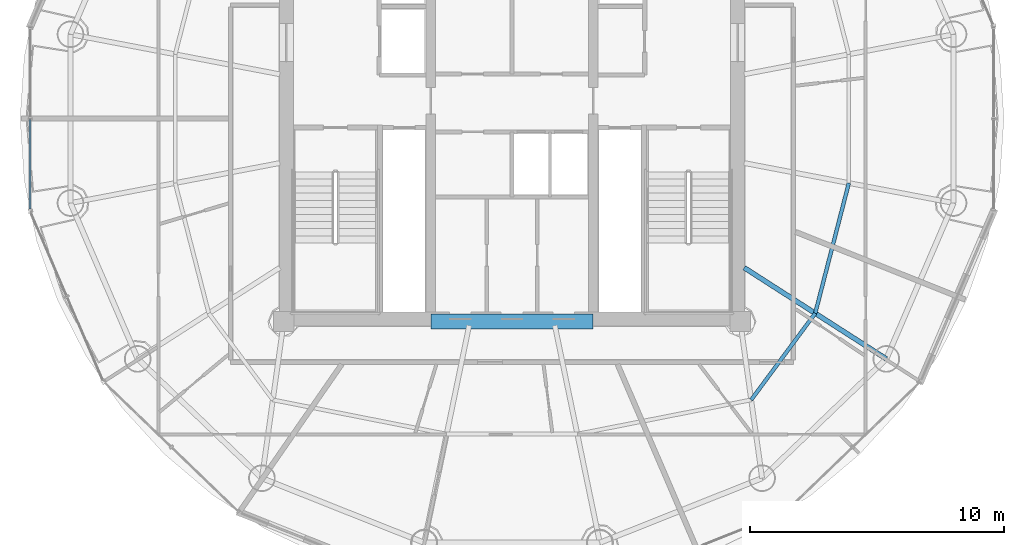
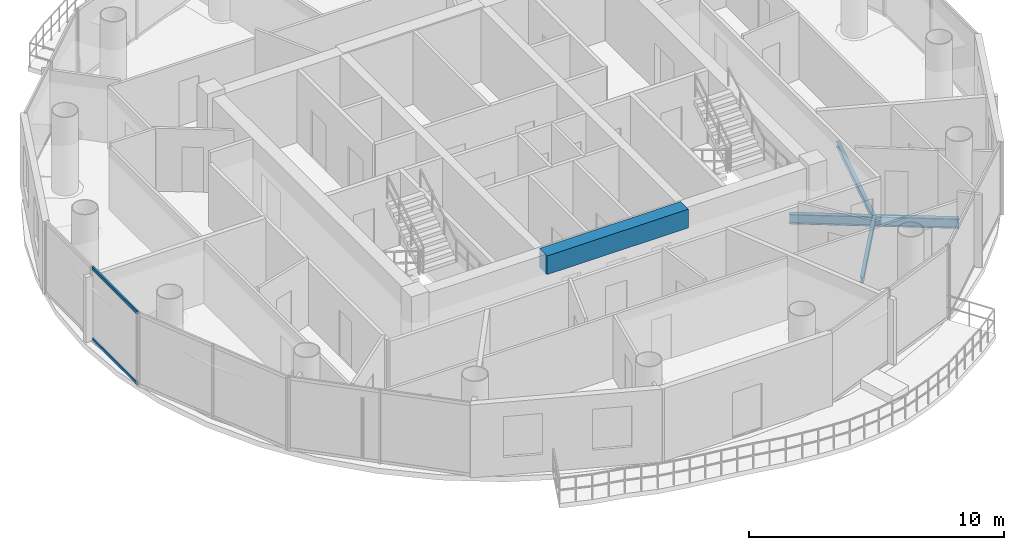
# One storey, part 7 of 24: 4 beams, 2 members, 1 element without a shape of its own.
"""IFC4 building model written with IfcOpenShell, lengths in metres."""

from ifc_helpers import new_model, si_unit, direction, frame, origin, origin_2d, place, context, subcontext, project, spatial, rectangle, hollow_rectangle, i_section, extrude, source, transform, mapped, material, material_profile, profile_set, type_object, element, aggregate, save


model = new_model("IFC4")

# Units and contexts
model_context = context("Model", 3, precision=1e-05, world=origin(), true_north=direction((-0.2419218956, 0.970295726276)))
body_context = subcontext(model_context, "Body", "Model", "MODEL_VIEW")
ifc_project = project(units=[si_unit("LENGTHUNIT", "METRE"), si_unit("AREAUNIT", "SQUARE_METRE"), si_unit("VOLUMEUNIT", "CUBIC_METRE"), si_unit("PLANEANGLEUNIT", "RADIAN"), si_unit("MASSUNIT", "GRAM", prefix="KILO")], contexts=[model_context])

# Site, building, storey
site_placement = place(None, origin())
site = spatial("IfcSite", under=ifc_project, at=site_placement, CompositionType="ELEMENT")
building_placement = place(site_placement, origin())
building = spatial("IfcBuilding", under=site, at=building_placement, Name="Cobrevalo Terracotta Tower", CompositionType="ELEMENT")
storey_placement = place(building_placement, frame((0.0, 0.0, 278.199951171875)))
storey = spatial("IfcBuildingStorey", under=building, at=storey_placement, Name="L73", CompositionType="ELEMENT", Elevation=278.199951171875)

# Beams
ifc_material_1 = material(Name="Concrete C60", Category="concrete")
ifc_material_profile_1 = material_profile(ifc_material_1, rectangle(XDim=0.60009765625, YDim=0.89990234375, at=origin_2d()), Name="RC CB 600x900")
ifc_profile_set_1 = profile_set([ifc_material_profile_1], Name="Concrete C60")
beam_type_1 = type_object("IfcBeamType", Name="Structural Beam RC CB 600x900 (Concrete C60)", PredefinedType="BEAM", material=ifc_profile_set_1)
beam_1_placement = place(storey_placement, frame((34.800048828125, 18.800048828125, 3.0400390625), z_axis=(1.0, 0.0, 0.0), x_axis=(0.0, 1.0, 0.0)))
element("IfcBeam", 1, at=beam_1_placement, inside=storey, type_object=beam_type_1, Name="L73 core coupling beam 1", PredefinedType="BEAM", context=body_context, shape_type="SweptSolid", body=[
    extrude(rectangle(XDim=0.60009765625, YDim=0.89990234375, at=origin_2d()), origin(), (0.0, 0.0, 1.0), 6.39990234375),
])
ifc_material_2 = material(Name="Steel S355", Category="steel")
ifc_material_profile_2 = material_profile(ifc_material_2, i_section(OverallWidth=0.19091796875, OverallDepth=0.4599609375, WebThickness=0.010009765625, FlangeThickness=0.01611328125, at=origin_2d()), Name="W 460x82")
ifc_profile_set_2 = profile_set([ifc_material_profile_2], Name="Steel S355")
beam_type_2 = type_object("IfcBeamType", Name="Structural Beam W 460x82 (Steel S355)", PredefinedType="BEAM", material=ifc_profile_set_2)
beam_2_placement = place(storey_placement, frame((52.758544921875, 17.32763671875, -0.489990234375), z_axis=(-0.84157615512, 0.540138477739, 0.0), x_axis=(-0.540138477739, -0.84157615512, 0.0)))
element("IfcBeam", 2, at=beam_2_placement, inside=storey, type_object=beam_type_2, Name="L73 radial floor girder 15", PredefinedType="BEAM", context=body_context, shape_type="SweptSolid", body=[
    extrude(i_section(OverallWidth=0.19091796875, OverallDepth=0.4599609375, WebThickness=0.010009765625, FlangeThickness=0.01611328125, at=origin_2d()), origin(), (0.0, 0.0, 1.0), 6.658447265625),
])
ifc_material_profile_3 = material_profile(ifc_material_2, i_section(OverallWidth=0.14794921875, OverallDepth=0.26611328125, WebThickness=0.007568359375, FlangeThickness=0.012939453125, at=origin_2d()), Name="W 250x44.8")
ifc_profile_set_3 = profile_set([ifc_material_profile_3], Name="Steel S355")
beam_type_3 = type_object("IfcBeamType", Name="Structural Joist W 250x44.8 (Steel S355)", PredefinedType="JOIST", material=ifc_profile_set_3)
beam_3_placement = place(storey_placement, frame((47.4306640625, 15.711669921875, -0.39306640625), z_axis=(0.594799916617, 0.803873783123, 0.0), x_axis=(-0.803873783123, 0.594799916617, 0.0)))
element("IfcBeam", 3, at=beam_3_placement, inside=storey, type_object=beam_type_3, Name="L73 circumferential secondary floor joist 14", PredefinedType="JOIST", context=body_context, shape_type="SweptSolid", body=[
    extrude(i_section(OverallWidth=0.14794921875, OverallDepth=0.26611328125, WebThickness=0.007568359375, FlangeThickness=0.012939453125, at=origin_2d()), origin(), (0.0, 0.0, 1.0), 4.2470703125),
])
beam_4_placement = place(storey_placement, frame((49.956787109375, 19.125732421875, -0.39306640625), z_axis=(0.249816773293, 0.968293126993, 0.0), x_axis=(-0.968293126993, 0.249816773293, 0.0)))
element("IfcBeam", 4, at=beam_4_placement, inside=storey, type_object=beam_type_3, Name="L73 circumferential secondary floor joist 15", PredefinedType="JOIST", context=body_context, shape_type="SweptSolid", body=[
    extrude(i_section(OverallWidth=0.14794921875, OverallDepth=0.26611328125, WebThickness=0.007568359375, FlangeThickness=0.012939453125, at=origin_2d()), origin(), (0.0, 0.0, 1.0), 5.3046875),
])

# Curtain wall, members
ifc_material_3 = material(Name="Anodized aluminium", Category="aluminium")
curtain_wall_type = type_object("IfcCurtainWallType", Name="Upper-tower triple-glazed penthouse curtain wall CW-U3", PredefinedType="NOTDEFINED", material=ifc_material_3)
curtain_wall_placement = place(storey_placement, origin())
curtain_wall = element("IfcCurtainWall", 5, at=curtain_wall_placement, inside=storey, type_object=curtain_wall_type, Name="L73 curtain wall CW-L73-S08", PredefinedType="NOTDEFINED")
ifc_material_profile_4 = material_profile(ifc_material_3, hollow_rectangle(XDim=0.074951171875, YDim=0.14990234375, WallThickness=0.00439453125, at=origin_2d()), Name="CWT 75x150")
ifc_profile_set_4 = profile_set([ifc_material_profile_4], Name="Anodized aluminium")
member_type = type_object("IfcMemberType", Name="Tower unitised aluminium transom 75x150", PredefinedType="USERDEFINED", material=ifc_profile_set_4)
shared_shape = source(origin(), body_context, "Body", "SweptSolid", [
    extrude(hollow_rectangle(XDim=0.074951171875, YDim=0.14990234375, WallThickness=0.00439453125, at=origin_2d()), origin(), (0.0, 0.0, 1.0), 3.5224609375),
])
member_1_placement = place(storey_placement, frame((19.002197265625, 26.760009765625, 0.050048828125), z_axis=(0.0, -1.0, 0.0), x_axis=(1.0, 0.0, 0.0)))
member_1 = element("IfcMember", 6, at=member_1_placement, type_object=member_type, Name="CW-L73-S08 transom B02-T1", ObjectType="TRANSOM", PredefinedType="USERDEFINED", context=body_context, shape_type="MappedRepresentation", body=[
    mapped(shared_shape, transform((0.0, 0.0, 0.0), scale=1.0)),
])
member_2_placement = place(storey_placement, frame((19.002197265625, 26.760009765625, 3.43994140625), z_axis=(0.0, -1.0, 0.0), x_axis=(1.0, 0.0, 0.0)))
member_2 = element("IfcMember", 7, at=member_2_placement, type_object=member_type, Name="CW-L73-S08 transom B02-T2", ObjectType="TRANSOM", PredefinedType="USERDEFINED", context=body_context, shape_type="MappedRepresentation", body=[
    mapped(shared_shape, transform((0.0, 0.0, 0.0), scale=1.0)),
])
aggregate(curtain_wall, [member_1, member_2])

save(model, "model.ifc")
